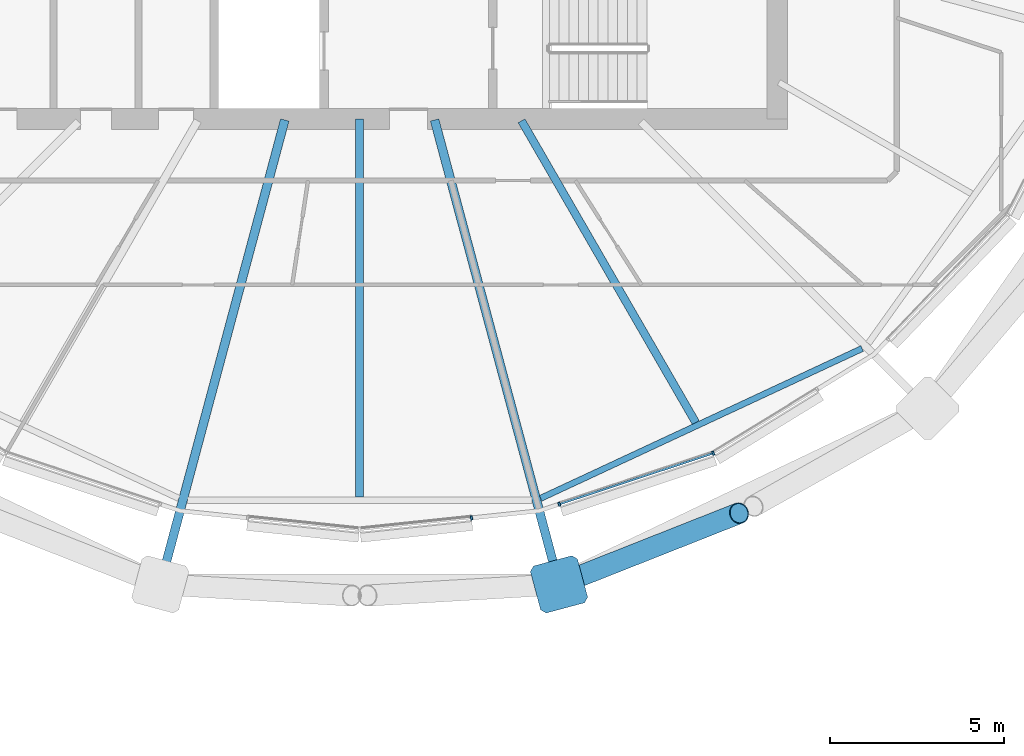
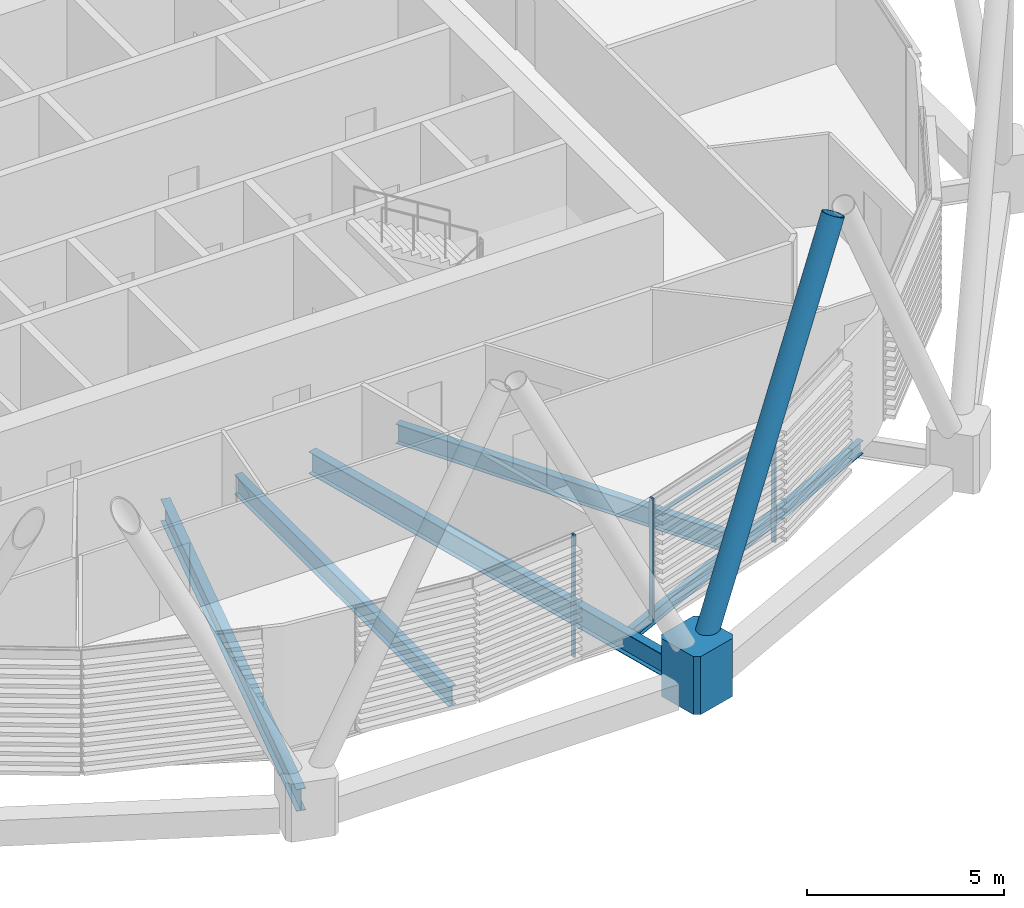
# One storey, part 4 of 37: 6 members, 5 beams, 1 element without a shape of its own.
"""IFC4 building model written with IfcOpenShell, lengths in metres."""

from ifc_helpers import new_model, si_unit, direction, frame, origin, origin_2d, place, context, subcontext, project, spatial, polyline, rectangle, hollow_circle, i_section, outline, extrude, material, material_profile, profile_set, type_object, element, aggregate, save


model = new_model("IFC4")

# Units and contexts
model_context = context("Model", 3, precision=1e-05, world=origin(), true_north=direction((0.0, 1.0)))
body_context = subcontext(model_context, "Body", "Model", "MODEL_VIEW")
ifc_project = project(units=[si_unit("LENGTHUNIT", "METRE"), si_unit("AREAUNIT", "SQUARE_METRE"), si_unit("VOLUMEUNIT", "CUBIC_METRE"), si_unit("PLANEANGLEUNIT", "RADIAN"), si_unit("MASSUNIT", "GRAM", prefix="KILO")], contexts=[model_context])

# Site, building, storey
site_placement = place(None, origin())
site = spatial("IfcSite", under=ifc_project, at=site_placement, CompositionType="ELEMENT")
building_placement = place(site_placement, origin())
building = spatial("IfcBuilding", under=site, at=building_placement, Name="Rimbun Link Towers", CompositionType="ELEMENT")
storey_placement = place(building_placement, frame((0.0, 0.0, 170.300048828125)))
storey = spatial("IfcBuildingStorey", under=building, at=storey_placement, Name="L41", CompositionType="ELEMENT", Elevation=170.300048828125)

# Curtain wall, members
ifc_material_1 = material(Name="Aluminium 6063-T6 and low-iron glass", Category="aluminium")
curtain_wall_type = type_object("IfcCurtainWallType", Name="CW1-Z3 unitised vision wall (zone 3)", PredefinedType="NOTDEFINED", material=ifc_material_1)
curtain_wall_placement = place(storey_placement, origin())
curtain_wall = element("IfcCurtainWall", 1, at=curtain_wall_placement, inside=storey, type_object=curtain_wall_type, Name="CW1 L41 T1", PredefinedType="NOTDEFINED")
ifc_material_2 = material(Name="Aluminium 6063-T6", Category="aluminium")
ifc_material_profile_1 = material_profile(ifc_material_2, rectangle(XDim=0.1201171875, YDim=0.06005859375, at=origin_2d()), Name="MULLION 60X120")
ifc_profile_set_1 = profile_set([ifc_material_profile_1], Name="Aluminium 6063-T6")
member_type_1 = type_object("IfcMemberType", Name="CW1 mullion 60X120", PredefinedType="MULLION", material=ifc_profile_set_1)
member_1_placement = place(storey_placement, frame((-28.53662109375, -19.470458984375, 0.0), z_axis=(0.0, 0.0, 1.0), x_axis=(0.104737092036, -0.994499945476, 0.0)))
member_1 = element("IfcMember", 2, at=member_1_placement, type_object=member_type_1, Name="CW1 mullion", PredefinedType="MULLION", context=body_context, shape_type="SweptSolid", body=[
    extrude(rectangle(XDim=0.1201171875, YDim=0.06005859375, at=origin_2d()), origin(), (0.0, 0.0, 1.0), 3.800048828125),
])
member_2_placement = place(storey_placement, frame((-21.590087890625, -17.60791015625, 0.0), z_axis=(0.0, 0.0, 1.0), x_axis=(0.421696857655, -0.906736874867, 0.0)))
member_2 = element("IfcMember", 3, at=member_2_placement, type_object=member_type_1, Name="CW1 mullion", PredefinedType="MULLION", context=body_context, shape_type="SweptSolid", body=[
    extrude(rectangle(XDim=0.1201171875, YDim=0.06005859375, at=origin_2d()), origin(), (0.0, 0.0, 1.0), 3.800048828125),
])
member_3_placement = place(storey_placement, frame((-26.01513671875, -19.07470703125, 0.0), z_axis=(0.0, 0.0, 1.0), x_axis=(0.314560279601, -0.949237499521, 0.0)))
member_3 = element("IfcMember", 4, at=member_3_placement, type_object=member_type_1, Name="CW1 mullion", PredefinedType="MULLION", context=body_context, shape_type="SweptSolid", body=[
    extrude(rectangle(XDim=0.1201171875, YDim=0.06005859375, at=origin_2d()), origin(), (0.0, 0.0, 1.0), 3.800048828125),
])
ifc_material_3 = material(Name="Aluminium 6063-T6", Category="aluminium")
ifc_material_profile_2 = material_profile(ifc_material_3, rectangle(XDim=0.06005859375, YDim=0.1201171875, at=origin_2d()), Name="TRANSOM 60X120")
ifc_profile_set_2 = profile_set([ifc_material_profile_2], Name="Aluminium 6063-T6")
member_type_2 = type_object("IfcMemberType", Name="CW1 transom 60X120", PredefinedType="USERDEFINED", material=ifc_profile_set_2)
member_4_placement = place(storey_placement, frame((-21.625732421875, -17.6181640625, 3.199951171875), z_axis=(-0.949239729091, -0.314553551426, 0.0), x_axis=(0.314553551426, -0.949239729091, 0.0)))
member_4 = element("IfcMember", 5, at=member_4_placement, type_object=member_type_2, Name="CW1 transom", ObjectType="TRANSOM", PredefinedType="USERDEFINED", context=body_context, shape_type="SweptSolid", body=[
    extrude(rectangle(XDim=0.06005859375, YDim=0.1201171875, at=origin_2d()), origin(), (0.0, 0.0, 1.0), 4.5947265625),
])
aggregate(curtain_wall, [member_1, member_2, member_3, member_4])

# Members
ifc_material_4 = material(Name="Steel S355J2H", Category="steel")
ifc_material_profile_3 = material_profile(ifc_material_4, hollow_circle(Radius=0.3046875, WallThickness=0.02490234375, at=origin_2d()), Name="Diagrid diagonal CHS 610x25")
ifc_profile_set_3 = profile_set([ifc_material_profile_3], Name="Steel S355J2H")
member_type_3 = type_object("IfcMemberType", Name="Diagrid diagonal CHS 610x25", PredefinedType="BRACE", material=ifc_profile_set_3)
member_5_placement = place(storey_placement, frame((-25.810791015625, -21.296630859375, 0.44580078125), z_axis=(0.421187646569, 0.166556991544, 0.8915490648), x_axis=(-0.367737070118, 0.929929807707, 0.0)))
element("IfcMember", 6, at=member_5_placement, inside=storey, type_object=member_type_3, Name="Diagrid diagonal T1 L41-L44 19b", PredefinedType="BRACE", context=body_context, shape_type="SweptSolid", body=[
    extrude(hollow_circle(Radius=0.3046875, WallThickness=0.02490234375, at=origin_2d()), origin(), (0.0, 0.0, 1.0), 11.78662109375),
])
ifc_material_5 = material(Name="Cast steel G20Mn5+QT, Rp0.2 300 MPa", Category="steel")
ifc_material_profile_4 = material_profile(ifc_material_5, outline(polyline([(0.699951171875, -0.570068359375), (0.699951171875, 0.570068359375), (0.570068359375, 0.699951171875), (-0.570068359375, 0.699951171875), (-0.699951171875, 0.570068359375), (-0.699951171875, -0.570068359375), (-0.570068359375, -0.699951171875), (0.570068359375, -0.699951171875), (0.699951171875, -0.570068359375)])), Name="NODE 1400x1400")
ifc_profile_set_4 = profile_set([ifc_material_profile_4], Name="Cast steel G20Mn5+QT, Rp0.2 300 MPa")
member_type_4 = type_object("IfcMemberType", Name="Diagrid node cast 1400", PredefinedType="USERDEFINED", material=ifc_profile_set_4)
member_6_placement = place(storey_placement, frame((-26.021240234375, -21.3798828125, -0.900146484375), z_axis=(0.0, 0.0, 1.0), x_axis=(0.258819045103, -0.965925826289, 0.0)))
element("IfcMember", 7, at=member_6_placement, inside=storey, type_object=member_type_4, Name="Diagrid node L41 19", ObjectType="Diagrid node", PredefinedType="USERDEFINED", context=body_context, shape_type="SweptSolid", body=[
    extrude(outline(polyline([(0.699951171875, -0.570068359375), (0.699951171875, 0.570068359375), (0.570068359375, 0.699951171875), (-0.570068359375, 0.699951171875), (-0.699951171875, 0.570068359375), (-0.699951171875, -0.570068359375), (-0.570068359375, -0.699951171875), (0.570068359375, -0.699951171875), (0.699951171875, -0.570068359375)])), origin(), (0.0, 0.0, 1.0), 1.800048828125),
])

# Beams
ifc_material_6 = material(Name="Steel S355J2", Category="steel")
ifc_material_profile_5 = material_profile(ifc_material_6, i_section(OverallWidth=0.177978515625, OverallDepth=0.406494140625, WebThickness=0.0078125, FlangeThickness=0.0126953125, at=origin_2d()), Name="UB 406x178x60")
ifc_profile_set_5 = profile_set([ifc_material_profile_5], Name="Steel S355J2")
beam_type_1 = type_object("IfcBeamType", Name="UB 406x178x60", PredefinedType="BEAM", material=ifc_profile_set_5)
beam_1_placement = place(storey_placement, frame((-26.551513671875, -18.9072265625, -0.353271484375), z_axis=(0.906411214108, 0.422396390775, 0.0), x_axis=(-0.422396390775, 0.906411214108, 0.0)))
element("IfcBeam", 8, at=beam_1_placement, inside=storey, type_object=beam_type_1, Name="Edge beam T1 L41 19-21", PredefinedType="BEAM", context=body_context, shape_type="SweptSolid", body=[
    extrude(i_section(OverallWidth=0.177978515625, OverallDepth=0.406494140625, WebThickness=0.0078125, FlangeThickness=0.0126953125, at=origin_2d()), origin(), (0.0, 0.0, 1.0), 10.194580078125),
])
ifc_material_7 = material(Name="Steel S355J2", Category="steel")
ifc_material_profile_6 = material_profile(ifc_material_7, i_section(OverallWidth=0.2275390625, OverallDepth=0.6025390625, WebThickness=0.010498046875, FlangeThickness=0.014892578125, at=origin_2d()), Name="UB 610x229x101")
ifc_profile_set_6 = profile_set([ifc_material_profile_6], Name="Steel S355J2")
beam_type_2 = type_object("IfcBeamType", Name="UB 610x229x101", PredefinedType="BEAM", material=ifc_profile_set_6)
beam_2_placement = place(storey_placement, frame((-31.75, -8.0009765625, -0.451416015625), z_axis=(0.0, -1.0, 0.0), x_axis=(1.0, 0.0, 0.0)))
element("IfcBeam", 9, at=beam_2_placement, inside=storey, type_object=beam_type_2, Name="Radial beam T1 L41 18", PredefinedType="BEAM", context=body_context, shape_type="SweptSolid", body=[
    extrude(i_section(OverallWidth=0.2275390625, OverallDepth=0.6025390625, WebThickness=0.010498046875, FlangeThickness=0.014892578125, at=origin_2d()), origin(), (0.0, 0.0, 1.0), 10.871337890625),
])
beam_3_placement = place(storey_placement, frame((-27.097900390625, -8.057861328125, -0.451416015625), z_axis=(0.500001751638, -0.866024392473, 0.0), x_axis=(0.866024392473, 0.500001751638, 0.0)))
element("IfcBeam", 10, at=beam_3_placement, inside=storey, type_object=beam_type_2, Name="Radial beam T1 L41 20", PredefinedType="BEAM", context=body_context, shape_type="SweptSolid", body=[
    extrude(i_section(OverallWidth=0.2275390625, OverallDepth=0.6025390625, WebThickness=0.010498046875, FlangeThickness=0.014892578125, at=origin_2d()), origin(), (0.0, 0.0, 1.0), 10.01318359375),
])
ifc_material_8 = material(Name="Steel S355J2", Category="steel")
ifc_material_profile_7 = material_profile(ifc_material_8, i_section(OverallWidth=0.253662109375, OverallDepth=0.68359375, WebThickness=0.012451171875, FlangeThickness=0.01904296875, at=origin_2d()), Name="UB 686x254x140")
ifc_profile_set_7 = profile_set([ifc_material_profile_7], Name="Steel S355J2")
beam_type_3 = type_object("IfcBeamType", Name="UB 686x254x140", PredefinedType="BEAM", material=ifc_profile_set_7)
for number, where, z_axis, x_axis, name in (
    (11, (-33.902587890625, -8.03369140625, -0.49169921875), (-0.258824055948, -0.965924483623, 0.0), (0.965924483623, -0.258824055948, 0.0), "Radial beam T1 L41 17"),
    (12, (-29.597412109375, -8.03369140625, -0.49169921875), (0.258824055948, -0.965924483623, 0.0), (0.965924483623, 0.258824055948, 0.0), "Radial beam T1 L41 19"),
):
    element("IfcBeam", number, at=place(storey_placement, frame(where, z_axis=z_axis, x_axis=x_axis)), inside=storey, type_object=beam_type_3, Name=name, PredefinedType="BEAM", context=body_context, shape_type="SweptSolid", body=[
        extrude(i_section(OverallWidth=0.253662109375, OverallDepth=0.68359375, WebThickness=0.012451171875, FlangeThickness=0.01904296875, at=origin_2d()), origin(), (0.0, 0.0, 1.0), 13.317138671875),
    ])

save(model, "model.ifc")
